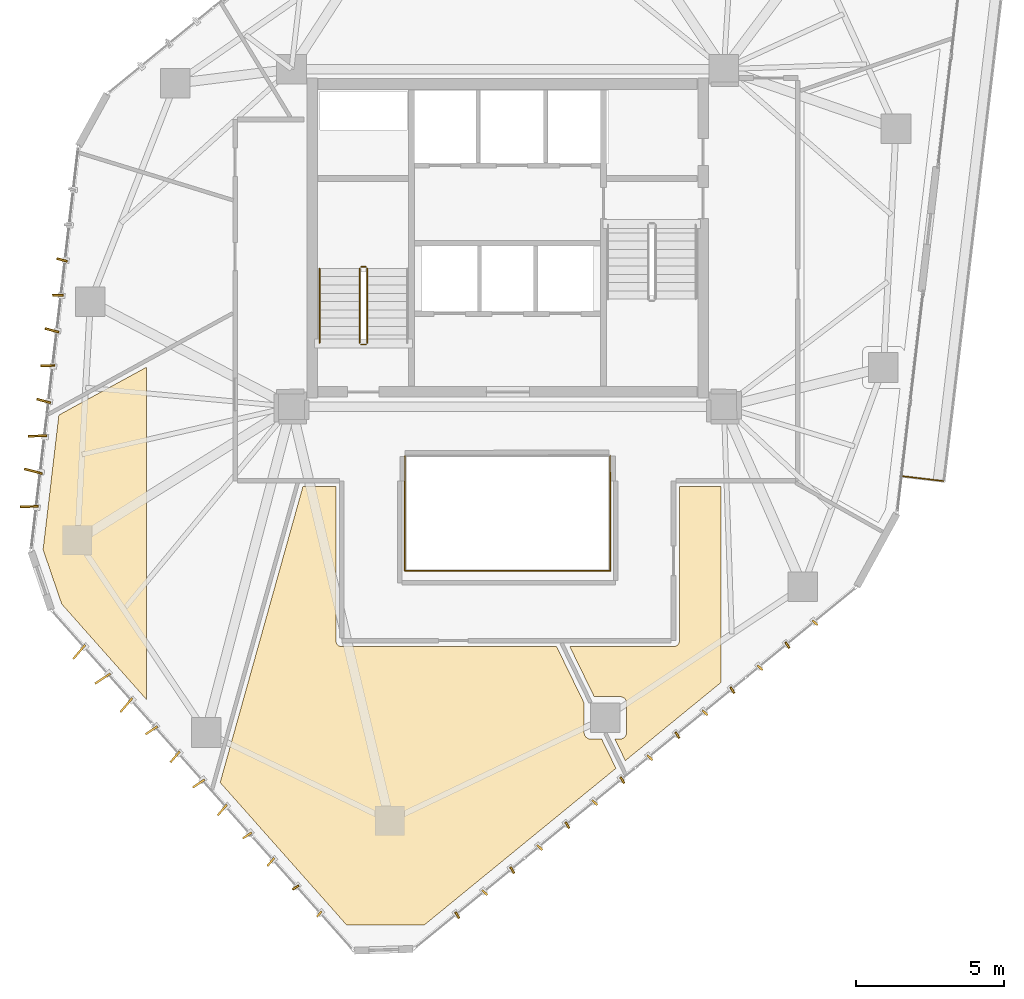
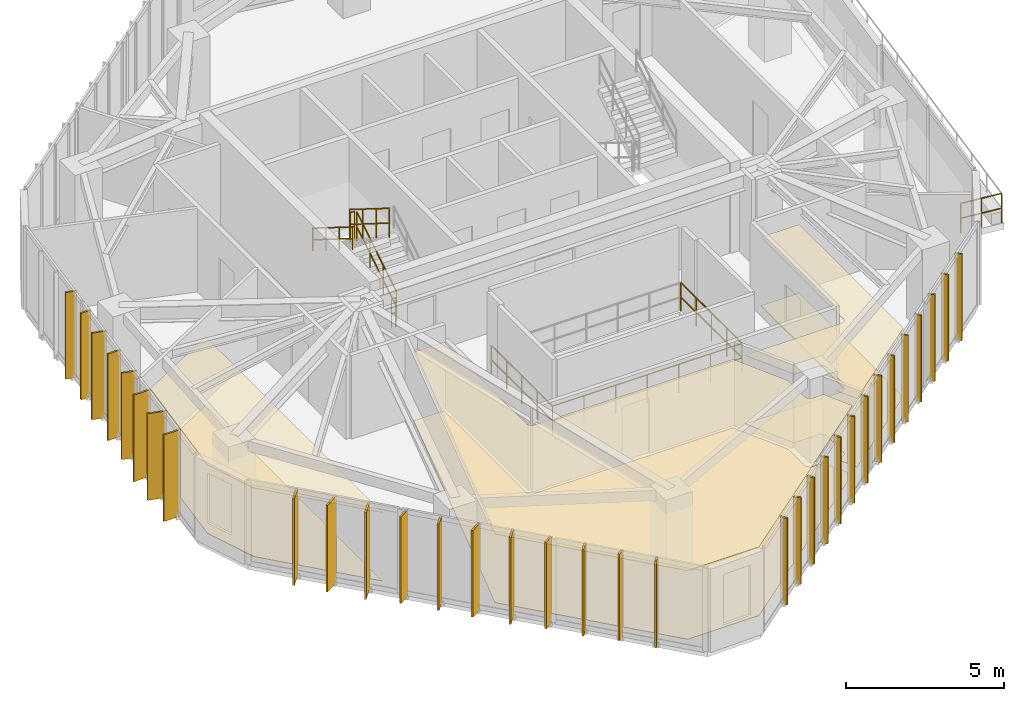
# One storey, part 21 of 22: 33 shading devices, 9 railings, 6 coverings.
"""IFC4 building model written with IfcOpenShell, lengths in metres."""

from ifc_helpers import new_model, si_unit, direction, frame, origin, origin_2d, place, context, subcontext, project, spatial, polyline, rectangle, circle, outline, extrude, source, transform, mapped, material, layer, layer_set, type_object, type_shapes, element, save


model = new_model("IFC4")

# Units and contexts
model_context = context("Model", 3, precision=1e-05, world=origin(), true_north=direction((0.0, 1.0)))
body_context = subcontext(model_context, "Body", "Model", "MODEL_VIEW")
ifc_project = project(units=[si_unit("LENGTHUNIT", "METRE"), si_unit("AREAUNIT", "SQUARE_METRE"), si_unit("VOLUMEUNIT", "CUBIC_METRE"), si_unit("PLANEANGLEUNIT", "RADIAN"), si_unit("MASSUNIT", "GRAM", prefix="KILO")], contexts=[model_context])

# Site, building, storey
site_placement = place(None, origin())
site = spatial("IfcSite", under=ifc_project, at=site_placement, CompositionType="ELEMENT")
building_placement = place(site_placement, origin())
building = spatial("IfcBuilding", under=site, at=building_placement, Name="Talar Marvaseh", CompositionType="ELEMENT")
storey_placement = place(building_placement, frame((0.0, 0.0, 229.199951171875)))
storey = spatial("IfcBuildingStorey", under=building, at=storey_placement, Name="L60", CompositionType="ELEMENT", Elevation=229.199951171875)

# Railings
ifc_material_1 = material(Name="Stainless Steel Grade 316", Category="steel")
railing_type_1 = type_object("IfcRailingType", Name="Brushed Stainless Wall Pitch Handrail 900", PredefinedType="HANDRAIL", material=ifc_material_1)
railing_1_placement = place(storey_placement, frame((19.64990234375, 30.169921875, 1.925048828125)))
element("IfcRailing", 1, at=railing_1_placement, inside=storey, type_object=railing_type_1, Name="L60 ST-1 stair handrail 2", PredefinedType="HANDRAIL", context=body_context, shape_type="SweptSolid", body=[
    extrude(circle(Radius=0.02392578125, at=origin_2d()), frame((0.0, 0.0, 0.8759765625), z_axis=(0.0, -0.848007534815, 0.529984170421), x_axis=(1.0, 0.0, 0.0)), (0.0, 0.0, 1.0), 2.9716796875),
    extrude(circle(Radius=0.02392578125, at=origin_2d()), frame((0.0, 0.0, 0.42578125), z_axis=(0.0, -0.848007534815, 0.529984170421), x_axis=(1.0, 0.0, 0.0)), (0.0, 0.0, 1.0), 2.9716796875),
    extrude(circle(Radius=0.02099609375, at=origin_2d()), origin(), (0.0, 0.0, 1.0), 0.851806640625),
    extrude(circle(Radius=0.02099609375, at=origin_2d()), frame((0.0, -0.840087890625, 0.52490234375)), (0.0, 0.0, 1.0), 0.851806640625),
    extrude(circle(Radius=0.02099609375, at=origin_2d()), frame((0.0, -1.679931640625, 1.050048828125)), (0.0, 0.0, 1.0), 0.851806640625),
    extrude(circle(Radius=0.02099609375, at=origin_2d()), frame((0.0, -2.52001953125, 1.574951171875)), (0.0, 0.0, 1.0), 0.851806640625),
])
ifc_material_2 = material(Name="Tempered Clear Glass", Category="glass")
railing_type_2 = type_object("IfcRailingType", Name="External Laminated Glass Terrace Balustrade 1150", PredefinedType="BALUSTRADE", material=ifc_material_2)
railing_2_placement = place(storey_placement, frame((40.718505859375, 22.989013671875, 0.0)))
element("IfcRailing", 2, at=railing_2_placement, inside=storey, type_object=railing_type_2, Name="L60 External Terrace Balustrade 2 3", PredefinedType="BALUSTRADE", context=body_context, shape_type="SweptSolid", body=[
    extrude(circle(Radius=0.02392578125, at=origin_2d()), frame((0.0, 0.0, 1.1259765625), z_axis=(-0.993043817652, 0.117745387272, 0.0), x_axis=(-0.117745387272, -0.993043817652, 0.0)), (0.0, 0.0, 1.0), 1.409912109375),
    extrude(circle(Radius=0.02392578125, at=origin_2d()), frame((0.0, 0.0, 0.55078125), z_axis=(-0.993043817652, 0.117745387272, 0.0), x_axis=(-0.117745387272, -0.993043817652, 0.0)), (0.0, 0.0, 1.0), 1.409912109375),
    extrude(circle(Radius=0.02099609375, at=origin_2d()), origin(), (0.0, 0.0, 1.0), 1.101806640625),
    extrude(circle(Radius=0.02099609375, at=origin_2d()), frame((-0.7001953125, 0.0830078125, 0.0)), (0.0, 0.0, 1.0), 1.101806640625),
    extrude(circle(Radius=0.02099609375, at=origin_2d()), frame((-1.400146484375, 0.166015625, 0.0)), (0.0, 0.0, 1.0), 1.101806640625),
])
railing_type_3 = type_object("IfcRailingType", Name="Interior Atrium Edge Balustrade 1120", PredefinedType="BALUSTRADE", material=ifc_material_2)
railing_3_placement = place(storey_placement, frame((22.5302734375, 19.9609375, 0.0)))
element("IfcRailing", 3, at=railing_3_placement, inside=storey, type_object=railing_type_3, Name="L60 Internal Daylight Atrium Balustrade 1", PredefinedType="BALUSTRADE", context=body_context, shape_type="SweptSolid", body=[
    extrude(circle(Radius=0.02392578125, at=origin_2d()), frame((0.0, 0.0, 1.09619140625), z_axis=(1.0, 0.0, 0.0), x_axis=(0.0, 1.0, 0.0)), (0.0, 0.0, 1.0), 6.939453125),
    extrude(circle(Radius=0.02392578125, at=origin_2d()), frame((0.0, 0.0, 0.5361328125), z_axis=(1.0, 0.0, 0.0), x_axis=(0.0, 1.0, 0.0)), (0.0, 0.0, 1.0), 6.939453125),
    extrude(circle(Radius=0.02099609375, at=origin_2d()), origin(), (0.0, 0.0, 1.0), 1.072021484375),
    extrude(circle(Radius=0.02099609375, at=origin_2d()), frame((1.156494140625, 0.0, 0.0)), (0.0, 0.0, 1.0), 1.072021484375),
    extrude(circle(Radius=0.02099609375, at=origin_2d()), frame((2.313232421875, 0.0, 0.0)), (0.0, 0.0, 1.0), 1.072021484375),
    extrude(circle(Radius=0.02099609375, at=origin_2d()), frame((3.4697265625, 0.0, 0.0)), (0.0, 0.0, 1.0), 1.072021484375),
    extrude(circle(Radius=0.02099609375, at=origin_2d()), frame((4.626220703125, 0.0, 0.0)), (0.0, 0.0, 1.0), 1.072021484375),
    extrude(circle(Radius=0.02099609375, at=origin_2d()), frame((5.782958984375, 0.0, 0.0)), (0.0, 0.0, 1.0), 1.072021484375),
    extrude(circle(Radius=0.02099609375, at=origin_2d()), frame((6.939453125, 0.0, 0.0)), (0.0, 0.0, 1.0), 1.072021484375),
])
railing_4_placement = place(storey_placement, frame((29.4697265625, 19.9609375, 0.0)))
element("IfcRailing", 4, at=railing_4_placement, inside=storey, type_object=railing_type_3, Name="L60 Internal Daylight Atrium Balustrade 2", PredefinedType="BALUSTRADE", context=body_context, shape_type="SweptSolid", body=[
    extrude(circle(Radius=0.02392578125, at=origin_2d()), frame((0.0, 0.0, 1.09619140625), z_axis=(0.0, 1.0, 0.0), x_axis=(-1.0, 0.0, 0.0)), (0.0, 0.0, 1.0), 3.878173828125),
    extrude(circle(Radius=0.02392578125, at=origin_2d()), frame((0.0, 0.0, 0.5361328125), z_axis=(0.0, 1.0, 0.0), x_axis=(-1.0, 0.0, 0.0)), (0.0, 0.0, 1.0), 3.878173828125),
    extrude(circle(Radius=0.02099609375, at=origin_2d()), origin(), (0.0, 0.0, 1.0), 1.072021484375),
    extrude(circle(Radius=0.02099609375, at=origin_2d()), frame((0.0, 0.969482421875, 0.0)), (0.0, 0.0, 1.0), 1.072021484375),
    extrude(circle(Radius=0.02099609375, at=origin_2d()), frame((0.0, 1.93896484375, 0.0)), (0.0, 0.0, 1.0), 1.072021484375),
    extrude(circle(Radius=0.02099609375, at=origin_2d()), frame((0.0, 2.90869140625, 0.0)), (0.0, 0.0, 1.0), 1.072021484375),
    extrude(circle(Radius=0.02099609375, at=origin_2d()), frame((0.0, 3.878173828125, 0.0)), (0.0, 0.0, 1.0), 1.072021484375),
])
railing_5_placement = place(storey_placement, frame((22.5302734375, 23.839111328125, 0.0)))
element("IfcRailing", 5, at=railing_5_placement, inside=storey, type_object=railing_type_3, Name="L60 Internal Daylight Atrium Balustrade 4", PredefinedType="BALUSTRADE", context=body_context, shape_type="SweptSolid", body=[
    extrude(circle(Radius=0.02392578125, at=origin_2d()), frame((0.0, 0.0, 1.09619140625), z_axis=(0.0, -1.0, 0.0), x_axis=(1.0, 0.0, 0.0)), (0.0, 0.0, 1.0), 3.878173828125),
    extrude(circle(Radius=0.02392578125, at=origin_2d()), frame((0.0, 0.0, 0.5361328125), z_axis=(0.0, -1.0, 0.0), x_axis=(1.0, 0.0, 0.0)), (0.0, 0.0, 1.0), 3.878173828125),
    extrude(circle(Radius=0.02099609375, at=origin_2d()), origin(), (0.0, 0.0, 1.0), 1.072021484375),
    extrude(circle(Radius=0.02099609375, at=origin_2d()), frame((0.0, -0.969482421875, 0.0)), (0.0, 0.0, 1.0), 1.072021484375),
    extrude(circle(Radius=0.02099609375, at=origin_2d()), frame((0.0, -1.93896484375, 0.0)), (0.0, 0.0, 1.0), 1.072021484375),
    extrude(circle(Radius=0.02099609375, at=origin_2d()), frame((0.0, -2.90869140625, 0.0)), (0.0, 0.0, 1.0), 1.072021484375),
    extrude(circle(Radius=0.02099609375, at=origin_2d()), frame((0.0, -3.878173828125, 0.0)), (0.0, 0.0, 1.0), 1.072021484375),
])
railing_type_4 = type_object("IfcRailingType", Name="Painted Steel Core Stair Well Guardrail 1150", PredefinedType="GUARDRAIL", material=ifc_material_1)
railing_6_placement = place(storey_placement, frame((21.260009765625, 27.64990234375, 0.175048828125)))
element("IfcRailing", 6, at=railing_6_placement, inside=storey, type_object=railing_type_4, Name="L60 ST-1 stair guard 1", PredefinedType="GUARDRAIL", context=body_context, shape_type="SweptSolid", body=[
    extrude(circle(Radius=0.02392578125, at=origin_2d()), frame((0.0, 0.0, 1.1259765625), z_axis=(0.0, 0.848007534815, 0.529984170421), x_axis=(-1.0, 0.0, 0.0)), (0.0, 0.0, 1.0), 2.9716796875),
    extrude(circle(Radius=0.02392578125, at=origin_2d()), frame((0.0, 0.0, 0.55078125), z_axis=(0.0, 0.848007534815, 0.529984170421), x_axis=(-1.0, 0.0, 0.0)), (0.0, 0.0, 1.0), 2.9716796875),
    extrude(circle(Radius=0.02099609375, at=origin_2d()), origin(), (0.0, 0.0, 1.0), 1.101806640625),
    extrude(circle(Radius=0.02099609375, at=origin_2d()), frame((0.0, 0.840087890625, 0.52490234375)), (0.0, 0.0, 1.0), 1.101806640625),
    extrude(circle(Radius=0.02099609375, at=origin_2d()), frame((0.0, 1.679931640625, 1.050048828125)), (0.0, 0.0, 1.0), 1.101806640625),
    extrude(circle(Radius=0.02099609375, at=origin_2d()), frame((0.0, 2.52001953125, 1.574951171875)), (0.0, 0.0, 1.0), 1.101806640625),
])
railing_7_placement = place(storey_placement, frame((21.2099609375, 30.219970703125, 1.75)))
element("IfcRailing", 7, at=railing_7_placement, inside=storey, type_object=railing_type_4, Name="L60 ST-1 stair guard 2", PredefinedType="GUARDRAIL", context=body_context, shape_type="SweptSolid", body=[
    extrude(circle(Radius=0.02392578125, at=origin_2d()), frame((0.0, 0.0, 1.1259765625), z_axis=(-1.0, 0.0, 0.0), x_axis=(0.0, -1.0, 0.0)), (0.0, 0.0, 1.0), 0.159912109375),
    extrude(circle(Radius=0.02392578125, at=origin_2d()), frame((0.0, 0.0, 0.55078125), z_axis=(-1.0, 0.0, 0.0), x_axis=(0.0, -1.0, 0.0)), (0.0, 0.0, 1.0), 0.159912109375),
    extrude(circle(Radius=0.02099609375, at=origin_2d()), origin(), (0.0, 0.0, 1.0), 1.101806640625),
    extrude(circle(Radius=0.02099609375, at=origin_2d()), frame((-0.159912109375, 0.0, 0.0)), (0.0, 0.0, 1.0), 1.101806640625),
])
railing_8_placement = place(storey_placement, frame((21.0, 30.169921875, 1.925048828125)))
element("IfcRailing", 8, at=railing_8_placement, inside=storey, type_object=railing_type_4, Name="L60 ST-1 stair guard 3", PredefinedType="GUARDRAIL", context=body_context, shape_type="SweptSolid", body=[
    extrude(circle(Radius=0.02392578125, at=origin_2d()), frame((0.0, 0.0, 1.1259765625), z_axis=(0.0, -0.848007534815, 0.529984170421), x_axis=(1.0, 0.0, 0.0)), (0.0, 0.0, 1.0), 2.9716796875),
    extrude(circle(Radius=0.02392578125, at=origin_2d()), frame((0.0, 0.0, 0.55078125), z_axis=(0.0, -0.848007534815, 0.529984170421), x_axis=(1.0, 0.0, 0.0)), (0.0, 0.0, 1.0), 2.9716796875),
    extrude(circle(Radius=0.02099609375, at=origin_2d()), origin(), (0.0, 0.0, 1.0), 1.101806640625),
    extrude(circle(Radius=0.02099609375, at=origin_2d()), frame((0.0, -0.840087890625, 0.52490234375)), (0.0, 0.0, 1.0), 1.101806640625),
    extrude(circle(Radius=0.02099609375, at=origin_2d()), frame((0.0, -1.679931640625, 1.050048828125)), (0.0, 0.0, 1.0), 1.101806640625),
    extrude(circle(Radius=0.02099609375, at=origin_2d()), frame((0.0, -2.52001953125, 1.574951171875)), (0.0, 0.0, 1.0), 1.101806640625),
])
railing_9_placement = place(storey_placement, frame((21.2099609375, 27.60009765625, 0.0)))
element("IfcRailing", 9, at=railing_9_placement, inside=storey, type_object=railing_type_4, Name="L60 ST-1 stair guard 4", PredefinedType="GUARDRAIL", context=body_context, shape_type="SweptSolid", body=[
    extrude(circle(Radius=0.02392578125, at=origin_2d()), frame((0.0, 0.0, 1.1259765625), z_axis=(-1.0, 0.0, 0.0), x_axis=(0.0, -1.0, 0.0)), (0.0, 0.0, 1.0), 0.159912109375),
    extrude(circle(Radius=0.02392578125, at=origin_2d()), frame((0.0, 0.0, 0.55078125), z_axis=(-1.0, 0.0, 0.0), x_axis=(0.0, -1.0, 0.0)), (0.0, 0.0, 1.0), 0.159912109375),
    extrude(circle(Radius=0.02099609375, at=origin_2d()), origin(), (0.0, 0.0, 1.0), 1.101806640625),
    extrude(circle(Radius=0.02099609375, at=origin_2d()), frame((-0.159912109375, 0.0, 0.0)), (0.0, 0.0, 1.0), 1.101806640625),
])

# Coverings
ifc_material_3 = material(Name="Mineral Fibre Acoustic Ceiling")
ifc_layer_1 = layer(ifc_material_3, 0.02490234375)
ifc_layer_set_1 = layer_set([ifc_layer_1], Name="Mineral Fibre Acoustic Ceiling")
covering_type_1 = type_object("IfcCoveringType", Name="Perforated Mineral Fibre Acoustic Suspended Ceiling", PredefinedType="CEILING", material=ifc_layer_set_1)
covering_1_placement = place(storey_placement, frame((0.0, 0.0, 2.650146484375)))
element("IfcCovering", 10, at=covering_1_placement, inside=storey, type_object=covering_type_1, Name="L60 Gallery Concierge Reception Acoustic Ceiling", PredefinedType="CEILING", context=body_context, shape_type="SweptSolid", body=[
    extrude(outline(polyline([(13.800048828125, 26.831298828125), (13.800048828125, 15.617919921875), (10.9423828125, 18.8369140625), (10.313720703125, 20.675537109375), (10.84619140625, 25.218505859375), (13.800048828125, 26.831298828125)])), origin(), (0.0, 0.0, 1.0), 0.02490234375),
])
covering_2_placement = place(storey_placement, frame((0.0, 0.0, 2.650146484375)))
element("IfcCovering", 11, at=covering_2_placement, inside=storey, type_object=covering_type_1, Name="L60 Curatorial Staff Control Room Acoustic Ceiling", PredefinedType="CEILING", context=body_context, shape_type="SweptSolid", body=[
    extrude(outline(polyline([(19.086181640625, 22.800048828125), (20.199951171875, 22.800048828125), (20.199951171875, 17.60009765625), (20.200927734375, 17.580322265625), (20.203857421875, 17.56103515625), (20.20849609375, 17.5419921875), (20.215087890625, 17.5234375), (20.2236328125, 17.505615234375), (20.233642578125, 17.489013671875), (20.245361328125, 17.47314453125), (20.258544921875, 17.45849609375), (20.273193359375, 17.4453125), (20.288818359375, 17.43359375), (20.3056640625, 17.423583984375), (20.323486328125, 17.415283203125), (20.341796875, 17.40869140625), (20.361083984375, 17.40380859375), (20.38037109375, 17.40087890625), (20.39990234375, 17.39990234375), (27.65380859375, 17.39990234375), (28.583984375, 15.490966796875), (28.585693359375, 14.486572265625), (28.5869140625, 14.466064453125), (28.590087890625, 14.44580078125), (28.595458984375, 14.42578125), (28.602783203125, 14.406494140625), (28.61181640625, 14.38818359375), (28.623046875, 14.370849609375), (28.6357421875, 14.3544921875), (28.650146484375, 14.33984375), (28.666015625, 14.326904296875), (28.68310546875, 14.315185546875), (28.6962890625, 14.307373046875), (28.71533203125, 14.29736328125), (28.7353515625, 14.289306640625), (28.756103515625, 14.28369140625), (28.777587890625, 14.2802734375), (28.799072265625, 14.279052734375), (29.174560546875, 14.279052734375), (29.65673828125, 13.28955078125), (23.184814453125, 8.0), (20.562744140625, 8.0), (16.292236328125, 12.810791015625), (19.086181640625, 22.800048828125)])), origin(), (0.0, 0.0, 1.0), 0.02490234375),
])
covering_3_placement = place(storey_placement, frame((0.0, 0.0, 2.650146484375)))
element("IfcCovering", 12, at=covering_3_placement, inside=storey, type_object=covering_type_1, Name="L60 Visitor Orientation Foyer Acoustic Ceiling", PredefinedType="CEILING", context=body_context, shape_type="SweptSolid", body=[
    extrude(outline(polyline([(29.799072265625, 14.279052734375), (29.820556640625, 14.2802734375), (29.841796875, 14.28369140625), (29.862548828125, 14.289306640625), (29.882568359375, 14.29736328125), (29.901611328125, 14.307373046875), (29.914794921875, 14.315185546875), (29.930419921875, 14.32568359375), (29.945068359375, 14.33740234375), (29.95849609375, 14.3505859375), (29.970703125, 14.36474609375), (29.9814453125, 14.380126953125), (29.990478515625, 14.396484375), (29.998291015625, 14.41357421875), (30.00439453125, 14.431396484375), (30.0087890625, 14.44970703125), (30.01123046875, 14.46826171875), (30.01220703125, 14.48681640625), (30.01220703125, 15.501220703125), (30.01123046875, 15.519775390625), (30.0087890625, 15.538330078125), (30.00439453125, 15.556640625), (29.998291015625, 15.574462890625), (29.990478515625, 15.591552734375), (29.9814453125, 15.60791015625), (29.970703125, 15.623291015625), (29.95849609375, 15.637451171875), (29.945068359375, 15.650634765625), (29.930419921875, 15.662353515625), (29.914794921875, 15.672607421875), (29.901611328125, 15.6806640625), (29.882568359375, 15.690673828125), (29.862548828125, 15.698486328125), (29.841796875, 15.704345703125), (29.820556640625, 15.707763671875), (29.799072265625, 15.708984375), (28.922607421875, 15.708984375), (28.0986328125, 17.39990234375), (31.60009765625, 17.39990234375), (31.61962890625, 17.40087890625), (31.638916015625, 17.40380859375), (31.658203125, 17.40869140625), (31.676513671875, 17.415283203125), (31.6943359375, 17.423583984375), (31.711181640625, 17.43359375), (31.726806640625, 17.4453125), (31.741455078125, 17.45849609375), (31.754638671875, 17.47314453125), (31.766357421875, 17.489013671875), (31.7763671875, 17.505615234375), (31.784912109375, 17.5234375), (31.79150390625, 17.5419921875), (31.796142578125, 17.56103515625), (31.799072265625, 17.580322265625), (31.800048828125, 17.60009765625), (31.800048828125, 22.800048828125), (33.199951171875, 22.800048828125), (33.199951171875, 16.185302734375), (29.97509765625, 13.549560546875), (29.619384765625, 14.279052734375), (29.799072265625, 14.279052734375)])), origin(), (0.0, 0.0, 1.0), 0.02490234375),
])
ifc_material_4 = material(Name="Porcelain Stoneware Tile", Category="masonry")
ifc_layer_2 = layer(ifc_material_4, 0.02001953125)
ifc_layer_set_2 = layer_set([ifc_layer_2], Name="Porcelain Stoneware Tile")
covering_type_2 = type_object("IfcCoveringType", Name="Polished Porcelain Stoneware Gallery Flooring", PredefinedType="FLOORING", material=ifc_layer_set_2)
covering_4_placement = place(storey_placement, origin())
element("IfcCovering", 13, at=covering_4_placement, inside=storey, type_object=covering_type_2, Name="L60 Gallery Concierge Reception Flooring", PredefinedType="FLOORING", context=body_context, shape_type="SweptSolid", body=[
    extrude(outline(polyline([(13.800048828125, 26.831298828125), (13.800048828125, 15.617919921875), (10.9423828125, 18.8369140625), (10.313720703125, 20.675537109375), (10.84619140625, 25.218505859375), (13.800048828125, 26.831298828125)])), origin(), (0.0, 0.0, 1.0), 0.02001953125),
])
covering_5_placement = place(storey_placement, origin())
element("IfcCovering", 14, at=covering_5_placement, inside=storey, type_object=covering_type_2, Name="L60 Curatorial Staff Control Room Flooring", PredefinedType="FLOORING", context=body_context, shape_type="SweptSolid", body=[
    extrude(outline(polyline([(19.086181640625, 22.800048828125), (20.199951171875, 22.800048828125), (20.199951171875, 17.60009765625), (20.200927734375, 17.580322265625), (20.203857421875, 17.56103515625), (20.20849609375, 17.5419921875), (20.215087890625, 17.5234375), (20.2236328125, 17.505615234375), (20.233642578125, 17.489013671875), (20.245361328125, 17.47314453125), (20.258544921875, 17.45849609375), (20.273193359375, 17.4453125), (20.288818359375, 17.43359375), (20.3056640625, 17.423583984375), (20.323486328125, 17.415283203125), (20.341796875, 17.40869140625), (20.361083984375, 17.40380859375), (20.38037109375, 17.40087890625), (20.39990234375, 17.39990234375), (27.65380859375, 17.39990234375), (28.583984375, 15.490966796875), (28.585693359375, 14.486572265625), (28.5869140625, 14.466064453125), (28.590087890625, 14.44580078125), (28.595458984375, 14.42578125), (28.602783203125, 14.406494140625), (28.61181640625, 14.38818359375), (28.623046875, 14.370849609375), (28.6357421875, 14.3544921875), (28.650146484375, 14.33984375), (28.666015625, 14.326904296875), (28.68310546875, 14.315185546875), (28.6962890625, 14.307373046875), (28.71533203125, 14.29736328125), (28.7353515625, 14.289306640625), (28.756103515625, 14.28369140625), (28.777587890625, 14.2802734375), (28.799072265625, 14.279052734375), (29.174560546875, 14.279052734375), (29.65673828125, 13.28955078125), (23.184814453125, 8.0), (20.562744140625, 8.0), (16.292236328125, 12.810791015625), (19.086181640625, 22.800048828125)])), origin(), (0.0, 0.0, 1.0), 0.02001953125),
])
covering_6_placement = place(storey_placement, origin())
element("IfcCovering", 15, at=covering_6_placement, inside=storey, type_object=covering_type_2, Name="L60 Visitor Orientation Foyer Flooring", PredefinedType="FLOORING", context=body_context, shape_type="SweptSolid", body=[
    extrude(outline(polyline([(29.799072265625, 14.279052734375), (29.820556640625, 14.2802734375), (29.841796875, 14.28369140625), (29.862548828125, 14.289306640625), (29.882568359375, 14.29736328125), (29.901611328125, 14.307373046875), (29.914794921875, 14.315185546875), (29.930419921875, 14.32568359375), (29.945068359375, 14.33740234375), (29.95849609375, 14.3505859375), (29.970703125, 14.36474609375), (29.9814453125, 14.380126953125), (29.990478515625, 14.396484375), (29.998291015625, 14.41357421875), (30.00439453125, 14.431396484375), (30.0087890625, 14.44970703125), (30.01123046875, 14.46826171875), (30.01220703125, 14.48681640625), (30.01220703125, 15.501220703125), (30.01123046875, 15.519775390625), (30.0087890625, 15.538330078125), (30.00439453125, 15.556640625), (29.998291015625, 15.574462890625), (29.990478515625, 15.591552734375), (29.9814453125, 15.60791015625), (29.970703125, 15.623291015625), (29.95849609375, 15.637451171875), (29.945068359375, 15.650634765625), (29.930419921875, 15.662353515625), (29.914794921875, 15.672607421875), (29.901611328125, 15.6806640625), (29.882568359375, 15.690673828125), (29.862548828125, 15.698486328125), (29.841796875, 15.704345703125), (29.820556640625, 15.707763671875), (29.799072265625, 15.708984375), (28.922607421875, 15.708984375), (28.0986328125, 17.39990234375), (31.60009765625, 17.39990234375), (31.61962890625, 17.40087890625), (31.638916015625, 17.40380859375), (31.658203125, 17.40869140625), (31.676513671875, 17.415283203125), (31.6943359375, 17.423583984375), (31.711181640625, 17.43359375), (31.726806640625, 17.4453125), (31.741455078125, 17.45849609375), (31.754638671875, 17.47314453125), (31.766357421875, 17.489013671875), (31.7763671875, 17.505615234375), (31.784912109375, 17.5234375), (31.79150390625, 17.5419921875), (31.796142578125, 17.56103515625), (31.799072265625, 17.580322265625), (31.800048828125, 17.60009765625), (31.800048828125, 22.800048828125), (33.199951171875, 22.800048828125), (33.199951171875, 16.185302734375), (29.97509765625, 13.549560546875), (29.619384765625, 14.279052734375), (29.799072265625, 14.279052734375)])), origin(), (0.0, 0.0, 1.0), 0.02001953125),
])

# Shading devices
ifc_material_5 = material(Name="Anodised Champagne Bronze Aluminium", Category="aluminium")
ifc_layer_3 = layer(ifc_material_5, 0.06494140625)
ifc_layer_set_3 = layer_set([ifc_layer_3], Name="Anodised Champagne Bronze Aluminium")
shading_device_type_1 = type_object("IfcShadingDeviceType", Name="Sawtooth Champagne Bronze Vertical Fin 240", PredefinedType="USERDEFINED", material=ifc_layer_set_3)
shared_shape_1 = source(origin(), body_context, "Body", "SweptSolid", [
    extrude(rectangle(XDim=0.239990234375, YDim=0.06494140625, at=origin_2d()), origin(), (0.0, 0.0, 1.0), 3.35009765625),
])
type_shapes(shading_device_type_1, [shared_shape_1])
for number, where, z_axis, x_axis, name in (
    (16, (19.639404296875, 8.369873046875, -0.1201171875), (0.0, 0.0, 1.0), (-0.648119901063, -0.761538307537, 0.0), "L60 Sawtooth Vertical Solar Fin"),
    (17, (18.8427734375, 9.267333984375, -0.1201171875), (0.0, 0.0, 1.0), (-0.83292124071, -0.553391549243, 0.0), "L60 Sawtooth Vertical Solar Fin"),
    (18, (36.37646484375, 18.20654296875, -0.1201171875), (0.0, 0.0, 1.0), (0.73444097133, -0.678672571739, 0.0), "L60 Sawtooth Vertical Solar Fin"),
    (19, (35.447265625, 17.447265625, -0.1201171875), (0.0, 0.0, 1.0), (0.518922460528, -0.854821314638, 0.0), "L60 Sawtooth Vertical Solar Fin"),
    (20, (34.51806640625, 16.687744140625, -0.1201171875), (0.0, 0.0, 1.0), (0.73444097133, -0.678672571739, 0.0), "L60 Sawtooth Vertical Solar Fin"),
    (21, (33.5888671875, 15.928466796875, -0.1201171875), (0.0, 0.0, 1.0), (0.518922460528, -0.854821314638, 0.0), "L60 Sawtooth Vertical Solar Fin"),
    (22, (32.65966796875, 15.169189453125, -0.1201171875), (0.0, 0.0, 1.0), (0.73444097133, -0.678672571739, 0.0), "L60 Sawtooth Vertical Solar Fin"),
    (23, (31.730712890625, 14.40966796875, -0.1201171875), (0.0, 0.0, 1.0), (0.518922460528, -0.854821314638, 0.0), "L60 Sawtooth Vertical Solar Fin"),
    (24, (30.801513671875, 13.650390625, -0.1201171875), (0.0, 0.0, 1.0), (0.73444097133, -0.678672571739, 0.0), "L60 Sawtooth Vertical Solar Fin"),
    (25, (29.872314453125, 12.890869140625, -0.1201171875), (0.0, 0.0, 1.0), (0.518922460528, -0.854821314638, 0.0), "L60 Sawtooth Vertical Solar Fin"),
    (26, (28.943115234375, 12.131591796875, -0.1201171875), (0.0, 0.0, 1.0), (0.73444097133, -0.678672571739, 0.0), "L60 Sawtooth Vertical Solar Fin"),
    (27, (28.013916015625, 11.3720703125, -0.1201171875), (0.0, 0.0, 1.0), (0.518922460528, -0.854821314638, 0.0), "L60 Sawtooth Vertical Solar Fin"),
    (28, (27.084716796875, 10.61279296875, -0.1201171875), (0.0, 0.0, 1.0), (0.73444097133, -0.678672571739, 0.0), "L60 Sawtooth Vertical Solar Fin"),
    (29, (26.155517578125, 9.853515625, -0.1201171875), (0.0, 0.0, 1.0), (0.518922460528, -0.854821314638, 0.0), "L60 Sawtooth Vertical Solar Fin"),
    (30, (25.2265625, 9.093994140625, -0.1201171875), (0.0, 0.0, 1.0), (0.73444097133, -0.678672571739, 0.0), "L60 Sawtooth Vertical Solar Fin"),
    (31, (24.29736328125, 8.334716796875, -0.1201171875), (0.0, 0.0, 1.0), (0.518922460528, -0.854821314638, 0.0), "L60 Sawtooth Vertical Solar Fin"),
):
    element("IfcShadingDevice", number, at=place(storey_placement, frame(where, z_axis=z_axis, x_axis=x_axis)), inside=storey, type_object=shading_device_type_1, Name=name, ObjectType="FIN", PredefinedType="USERDEFINED", context=body_context, shape_type="MappedRepresentation", body=[
        mapped(shared_shape_1, transform((0.0, 0.0, 0.0), x_axis=(1.0, 0.0, 0.0), y_axis=(0.0, 1.0, 0.0), z_axis=(0.0, 0.0, 1.0), scale=1.0)),
    ])
ifc_layer_4 = layer(ifc_material_5, 0.06494140625)
ifc_layer_set_4 = layer_set([ifc_layer_4], Name="Anodised Champagne Bronze Aluminium")
shading_device_type_2 = type_object("IfcShadingDeviceType", Name="Sawtooth Champagne Bronze Vertical Fin 360", PredefinedType="USERDEFINED", material=ifc_layer_set_4)
shared_shape_2 = source(origin(), body_context, "Body", "SweptSolid", [
    extrude(rectangle(XDim=0.360107421875, YDim=0.06494140625, at=origin_2d()), origin(), (0.0, 0.0, 1.0), 3.35009765625),
])
type_shapes(shading_device_type_2, [shared_shape_2])
for number, where, z_axis, x_axis, name in (
    (32, (18.001220703125, 10.125, -0.1201171875), (0.0, 0.0, 1.0), (-0.648119901063, -0.761538307537, 0.0), "L60 Sawtooth Vertical Solar Fin"),
    (33, (17.20458984375, 11.022216796875, -0.1201171875), (0.0, 0.0, 1.0), (-0.83292124071, -0.553391549243, 0.0), "L60 Sawtooth Vertical Solar Fin"),
    (34, (10.811767578125, 29.2646484375, -0.1201171875), (0.0, 0.0, 1.0), (-0.999734629042, -0.023036308188, 0.0), "L60 Sawtooth Vertical Solar Fin"),
    (35, (10.951416015625, 30.45654296875, -0.1201171875), (0.0, 0.0, 1.0), (-0.967356272077, 0.253420288991, 0.0), "L60 Sawtooth Vertical Solar Fin"),
):
    element("IfcShadingDevice", number, at=place(storey_placement, frame(where, z_axis=z_axis, x_axis=x_axis)), inside=storey, type_object=shading_device_type_2, Name=name, ObjectType="FIN", PredefinedType="USERDEFINED", context=body_context, shape_type="MappedRepresentation", body=[
        mapped(shared_shape_2, transform((0.0, 0.0, 0.0), x_axis=(1.0, 0.0, 0.0), y_axis=(0.0, 1.0, 0.0), z_axis=(0.0, 0.0, 1.0), scale=1.0)),
    ])
ifc_layer_5 = layer(ifc_material_5, 0.06494140625)
ifc_layer_set_5 = layer_set([ifc_layer_5], Name="Anodised Champagne Bronze Aluminium")
shading_device_type_3 = type_object("IfcShadingDeviceType", Name="Sawtooth Champagne Bronze Vertical Fin 480", PredefinedType="USERDEFINED", material=ifc_layer_set_5)
shared_shape_3 = source(origin(), body_context, "Body", "SweptSolid", [
    extrude(rectangle(XDim=0.47998046875, YDim=0.06494140625, at=origin_2d()), origin(), (0.0, 0.0, 1.0), 3.35009765625),
])
type_shapes(shading_device_type_3, [shared_shape_3])
for number, where, z_axis, x_axis, name in (
    (36, (16.36279296875, 11.8798828125, -0.1201171875), (0.0, 0.0, 1.0), (-0.648119901063, -0.761538307537, 0.0), "L60 Sawtooth Vertical Solar Fin"),
    (37, (15.56640625, 12.77734375, -0.1201171875), (0.0, 0.0, 1.0), (-0.83292124071, -0.553391549243, 0.0), "L60 Sawtooth Vertical Solar Fin"),
    (38, (14.76953125, 13.6748046875, -0.1201171875), (0.0, 0.0, 1.0), (-0.648119901063, -0.761538307537, 0.0), "L60 Sawtooth Vertical Solar Fin"),
    (39, (13.972900390625, 14.572021484375, -0.1201171875), (0.0, 0.0, 1.0), (-0.83292124071, -0.553391549243, 0.0), "L60 Sawtooth Vertical Solar Fin"),
    (40, (10.333251953125, 25.696044921875, -0.1201171875), (0.0, 0.0, 1.0), (-0.967356272077, 0.253420288991, 0.0), "L60 Sawtooth Vertical Solar Fin"),
    (41, (10.472900390625, 26.887939453125, -0.1201171875), (0.0, 0.0, 1.0), (-0.999734629042, -0.023036308188, 0.0), "L60 Sawtooth Vertical Solar Fin"),
    (42, (10.612548828125, 28.079833984375, -0.1201171875), (0.0, 0.0, 1.0), (-0.967356272077, 0.253420288991, 0.0), "L60 Sawtooth Vertical Solar Fin"),
):
    element("IfcShadingDevice", number, at=place(storey_placement, frame(where, z_axis=z_axis, x_axis=x_axis)), inside=storey, type_object=shading_device_type_3, Name=name, ObjectType="FIN", PredefinedType="USERDEFINED", context=body_context, shape_type="MappedRepresentation", body=[
        mapped(shared_shape_3, transform((0.0, 0.0, 0.0), x_axis=(1.0, 0.0, 0.0), y_axis=(0.0, 1.0, 0.0), z_axis=(0.0, 0.0, 1.0), scale=1.0)),
    ])
ifc_layer_6 = layer(ifc_material_5, 0.06494140625)
ifc_layer_set_6 = layer_set([ifc_layer_6], Name="Anodised Champagne Bronze Aluminium")
shading_device_type_4 = type_object("IfcShadingDeviceType", Name="Sawtooth Champagne Bronze Vertical Fin 620", PredefinedType="USERDEFINED", material=ifc_layer_set_6)
shared_shape_4 = source(origin(), body_context, "Body", "SweptSolid", [
    extrude(rectangle(XDim=0.6201171875, YDim=0.06494140625, at=origin_2d()), origin(), (0.0, 0.0, 1.0), 3.35009765625),
])
type_shapes(shading_device_type_4, [shared_shape_4])
for number, where, z_axis, x_axis, name in (
    (43, (13.1240234375, 15.423095703125, -0.1201171875), (0.0, 0.0, 1.0), (-0.648119901063, -0.761538307537, 0.0), "L60 Sawtooth Vertical Solar Fin"),
    (44, (12.327392578125, 16.3203125, -0.1201171875), (0.0, 0.0, 1.0), (-0.83292124071, -0.553391549243, 0.0), "L60 Sawtooth Vertical Solar Fin"),
    (45, (11.530517578125, 17.2177734375, -0.1201171875), (0.0, 0.0, 1.0), (-0.648119901063, -0.761538307537, 0.0), "L60 Sawtooth Vertical Solar Fin"),
    (46, (9.8447265625, 22.128662109375, -0.1201171875), (0.0, 0.0, 1.0), (-0.999734629042, -0.023036308188, 0.0), "L60 Sawtooth Vertical Solar Fin"),
    (47, (9.984375, 23.320556640625, -0.1201171875), (0.0, 0.0, 1.0), (-0.967356272077, 0.253420288991, 0.0), "L60 Sawtooth Vertical Solar Fin"),
    (48, (10.1240234375, 24.512451171875, -0.1201171875), (0.0, 0.0, 1.0), (-0.999734629042, -0.023036308188, 0.0), "L60 Sawtooth Vertical Solar Fin"),
):
    element("IfcShadingDevice", number, at=place(storey_placement, frame(where, z_axis=z_axis, x_axis=x_axis)), inside=storey, type_object=shading_device_type_4, Name=name, ObjectType="FIN", PredefinedType="USERDEFINED", context=body_context, shape_type="MappedRepresentation", body=[
        mapped(shared_shape_4, transform((0.0, 0.0, 0.0), x_axis=(1.0, 0.0, 0.0), y_axis=(0.0, 1.0, 0.0), z_axis=(0.0, 0.0, 1.0), scale=1.0)),
    ])

save(model, "model.ifc")
